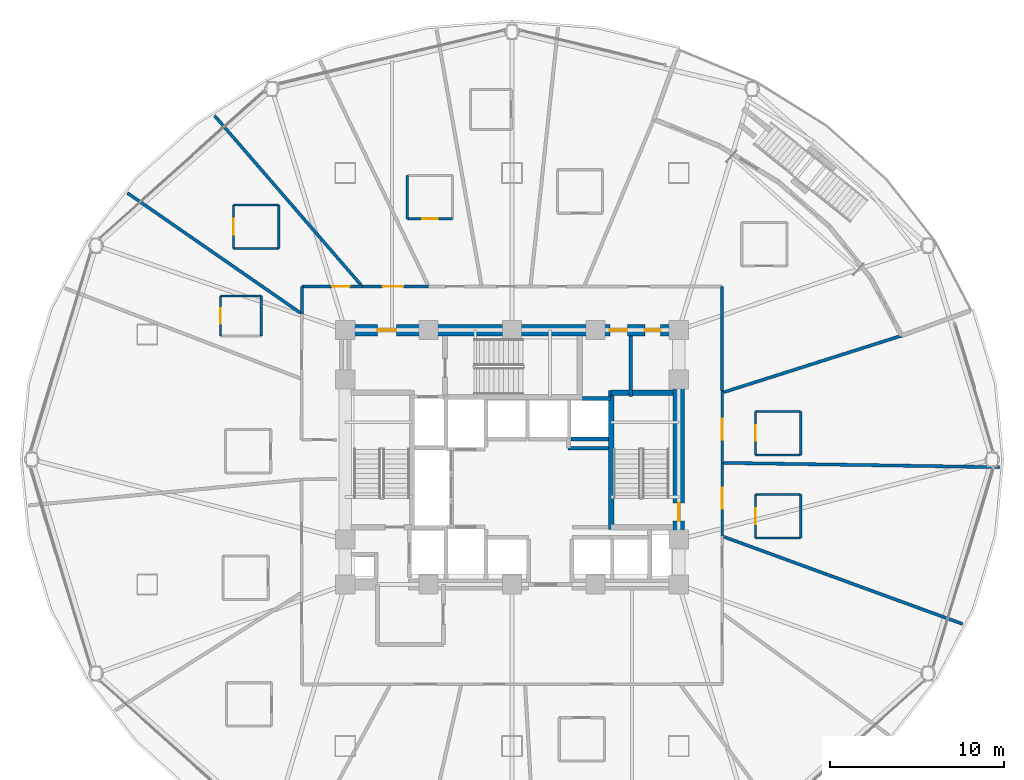
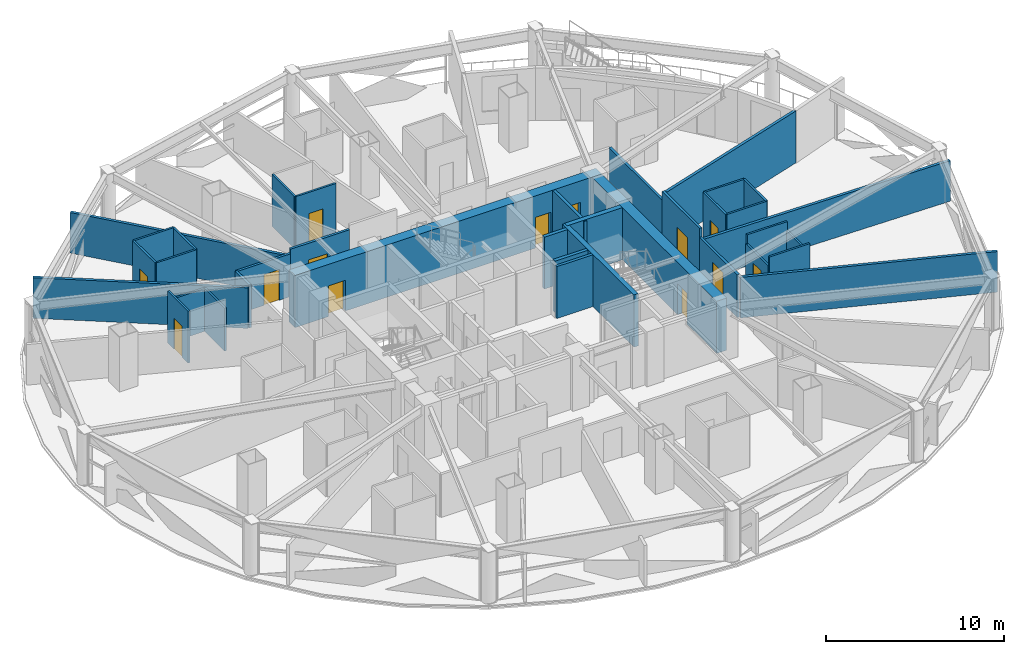
# One storey, part 26 of 33: 36 walls, 13 doors, 13 openings.
"""IFC4 building model written with IfcOpenShell, lengths in metres."""

from ifc_helpers import new_model, si_unit, direction, frame, frame_2d, origin, place, context, subcontext, project, spatial, rectangle, extrude, material, layer, layer_set, type_object, element, fill, save


model = new_model("IFC4")

# Units and contexts
model_context = context("Model", 3, precision=1e-05, world=origin(), true_north=direction((0.0, 1.0)))
body_context = subcontext(model_context, "Body", "Model", "MODEL_VIEW")
ifc_project = project(units=[si_unit("LENGTHUNIT", "METRE"), si_unit("AREAUNIT", "SQUARE_METRE"), si_unit("VOLUMEUNIT", "CUBIC_METRE"), si_unit("PLANEANGLEUNIT", "RADIAN"), si_unit("MASSUNIT", "GRAM", prefix="KILO")], contexts=[model_context])

# Site, building, storey
site_placement = place(None, origin())
site = spatial("IfcSite", under=ifc_project, at=site_placement, CompositionType="ELEMENT")
building_placement = place(site_placement, origin())
building = spatial("IfcBuilding", under=site, at=building_placement, Name="Vantalir Tower", CompositionType="ELEMENT")
storey_placement = place(building_placement, frame((0.0, 0.0, 68.25)))
storey = spatial("IfcBuildingStorey", under=building, at=storey_placement, Name="L16", CompositionType="ELEMENT", Elevation=68.25)

# Wall, opening, door
ifc_material_1 = material(Name="Moisture-resistant en-suite partition", Category="gypsum")
ifc_layer_1 = layer(ifc_material_1, 0.125)
ifc_layer_set_1 = layer_set([ifc_layer_1], Name="Moisture-resistant en-suite partition")
wall_type_1 = type_object("IfcWallType", Name="WL-BATH-125", PredefinedType="PARTITIONING", material=ifc_layer_set_1)
wall_1_placement = place(storey_placement, frame((25.472900390625, 38.85693359375, 0.0), z_axis=(0.0, 0.0, 1.0), x_axis=(1.0, 0.0, 0.0)))
wall_1 = element("IfcWall", 1, at=wall_1_placement, inside=storey, type_object=wall_type_1, Name="L16 En-suite 04 South Wall", PredefinedType="PARTITIONING", context=body_context, shape_type="SweptSolid", body=[
    extrude(rectangle(XDim=2.60009765625, YDim=0.125, at=frame_2d((1.300048828125, 0.0))), origin(), (0.0, 0.0, 1.0), 3.550048828125),
])
opening_1_placement = place(wall_1_placement, frame((0.85009765625, 0.0, 0.0)))
opening_1 = element("IfcOpeningElement", 2, at=opening_1_placement, cuts=wall_1, Name="Opening D-WC", PredefinedType="OPENING", context=body_context, shape_type="SweptSolid", body=[
    extrude(rectangle(XDim=0.89990234375, YDim=2.10009765625, at=frame_2d((0.449951171875, 1.050048828125))), frame((0.0, 0.072509765625, 0.0), z_axis=(0.0, -1.0, 0.0), x_axis=(1.0, 0.0, 0.0)), (0.0, 0.0, 1.0), 0.14501953125),
])
ifc_material_2 = material(Name="Moisture-resistant hardwood door", Category="wood")
door_type_1 = type_object("IfcDoorType", Name="DR-ENSUITE-900", OperationType="NOTDEFINED", PredefinedType="DOOR", material=ifc_material_2)
door_1_placement = place(opening_1_placement, origin())
door_1 = element("IfcDoor", 3, at=door_1_placement, inside=storey, type_object=door_type_1, Name="L16 En-suite 04 Door", OperationType="SINGLE_SWING_LEFT", OverallHeight=2.10009765625, OverallWidth=0.89990234375, PredefinedType="DOOR", context=body_context, shape_type="SweptSolid", body=[
    extrude(rectangle(XDim=0.89990234375, YDim=2.10009765625, at=frame_2d((0.449951171875, 1.050048828125))), frame((0.0, 0.02490234375, 0.0), z_axis=(0.0, -1.0, 0.0), x_axis=(1.0, 0.0, 0.0)), (0.0, 0.0, 1.0), 0.050048828125),
])
fill(opening_1, door_1)

# Walls
wall_2_placement = place(storey_placement, frame((25.472900390625, 38.85693359375, 0.0), z_axis=(0.0, 0.0, 1.0), x_axis=(0.0, 1.0, 0.0)))
element("IfcWall", 4, at=wall_2_placement, inside=storey, type_object=wall_type_1, Name="L16 En-suite 04 West Wall", PredefinedType="PARTITIONING", context=body_context, shape_type="SweptSolid", body=[
    extrude(rectangle(XDim=2.5, YDim=0.125, at=frame_2d((1.25, 0.0))), origin(), (0.0, 0.0, 1.0), 3.550048828125),
])
for number, where, z_axis, x_axis, name in (
    (5, (15.468994140625, 37.154052734375, 0.0), (0.0, 0.0, 1.0), (1.0, 0.0, 0.0), "L16 En-suite 06 South Wall"),
    (6, (15.468994140625, 39.654052734375, 0.0), (0.0, 0.0, 1.0), (1.0, 0.0, 0.0), "L16 En-suite 06 North Wall"),
):
    element("IfcWall", number, at=place(storey_placement, frame(where, z_axis=z_axis, x_axis=x_axis)), inside=storey, type_object=wall_type_1, Name=name, PredefinedType="PARTITIONING", context=body_context, shape_type="SweptSolid", body=[
        extrude(rectangle(XDim=2.60009765625, YDim=0.125, at=frame_2d((1.300048828125, 0.0))), origin(), (0.0, 0.0, 1.0), 3.550048828125),
    ])

# Wall, opening, door
wall_3_placement = place(storey_placement, frame((15.468994140625, 37.154052734375, 0.0), z_axis=(0.0, 0.0, 1.0), x_axis=(0.0, 1.0, 0.0)))
wall_3 = element("IfcWall", 7, at=wall_3_placement, inside=storey, type_object=wall_type_1, Name="L16 En-suite 06 West Wall", PredefinedType="PARTITIONING", context=body_context, shape_type="SweptSolid", body=[
    extrude(rectangle(XDim=2.5, YDim=0.125, at=frame_2d((1.25, 0.0))), origin(), (0.0, 0.0, 1.0), 3.550048828125),
])
opening_2_placement = place(wall_3_placement, frame((0.800048828125, 0.0, 0.0)))
opening_2 = element("IfcOpeningElement", 8, at=opening_2_placement, cuts=wall_3, Name="Opening D-WC", PredefinedType="OPENING", context=body_context, shape_type="SweptSolid", body=[
    extrude(rectangle(XDim=0.89990234375, YDim=2.10009765625, at=frame_2d((0.449951171875, 1.050048828125))), frame((0.0, 0.072509765625, 0.0), z_axis=(0.0, -1.0, 0.0), x_axis=(1.0, 0.0, 0.0)), (0.0, 0.0, 1.0), 0.14501953125),
])
door_2_placement = place(opening_2_placement, frame((0.89990234375, 0.0, 0.0), z_axis=(0.0, 0.0, 1.0), x_axis=(-1.0, 0.0, 0.0)))
door_2 = element("IfcDoor", 9, at=door_2_placement, inside=storey, type_object=door_type_1, Name="L16 En-suite 06 Door", OperationType="SINGLE_SWING_LEFT", OverallHeight=2.10009765625, OverallWidth=0.89990234375, PredefinedType="DOOR", context=body_context, shape_type="SweptSolid", body=[
    extrude(rectangle(XDim=0.89990234375, YDim=2.10009765625, at=frame_2d((0.449951171875, 1.050048828125))), frame((0.0, 0.02490234375, 0.0), z_axis=(0.0, -1.0, 0.0), x_axis=(1.0, 0.0, 0.0)), (0.0, 0.0, 1.0), 0.050048828125),
])
fill(opening_2, door_2)

# Walls
wall_4_placement = place(storey_placement, frame((18.069091796875, 37.154052734375, 0.0), z_axis=(0.0, 0.0, 1.0), x_axis=(0.0, 1.0, 0.0)))
element("IfcWall", 10, at=wall_4_placement, inside=storey, type_object=wall_type_1, Name="L16 En-suite 06 East Wall", PredefinedType="PARTITIONING", context=body_context, shape_type="SweptSolid", body=[
    extrude(rectangle(XDim=2.5, YDim=0.125, at=frame_2d((1.25, 0.0))), origin(), (0.0, 0.0, 1.0), 3.550048828125),
])
wall_5_placement = place(storey_placement, frame((14.718017578125, 34.409912109375, 0.0), z_axis=(0.0, 0.0, 1.0), x_axis=(1.0, 0.0, 0.0)))
element("IfcWall", 11, at=wall_5_placement, inside=storey, type_object=wall_type_1, Name="L16 En-suite 07 North Wall", PredefinedType="PARTITIONING", context=body_context, shape_type="SweptSolid", body=[
    extrude(rectangle(XDim=2.35009765625, YDim=0.125, at=frame_2d((1.175048828125, 0.0))), origin(), (0.0, 0.0, 1.0), 2.927978515625),
])

# Wall, opening, door
wall_6_placement = place(storey_placement, frame((14.718017578125, 32.110107421875, 0.0), z_axis=(0.0, 0.0, 1.0), x_axis=(0.0, 1.0, 0.0)))
wall_6 = element("IfcWall", 12, at=wall_6_placement, inside=storey, type_object=wall_type_1, Name="L16 En-suite 07 West Wall", PredefinedType="PARTITIONING", context=body_context, shape_type="SweptSolid", body=[
    extrude(rectangle(XDim=2.2998046875, YDim=0.125, at=frame_2d((1.14990234375, 0.0))), origin(), (0.0, 0.0, 1.0), 3.550048828125),
])
opening_3_placement = place(wall_6_placement, frame((0.699951171875, 0.0, 0.0)))
opening_3 = element("IfcOpeningElement", 13, at=opening_3_placement, cuts=wall_6, Name="Opening D-WC", PredefinedType="OPENING", context=body_context, shape_type="SweptSolid", body=[
    extrude(rectangle(XDim=0.89990234375, YDim=2.10009765625, at=frame_2d((0.449951171875, 1.050048828125))), frame((0.0, 0.072509765625, 0.0), z_axis=(0.0, -1.0, 0.0), x_axis=(1.0, 0.0, 0.0)), (0.0, 0.0, 1.0), 0.14501953125),
])
door_3_placement = place(opening_3_placement, frame((0.89990234375, 0.0, 0.0), z_axis=(0.0, 0.0, 1.0), x_axis=(-1.0, 0.0, 0.0)))
door_3 = element("IfcDoor", 14, at=door_3_placement, inside=storey, type_object=door_type_1, Name="L16 En-suite 07 Door", OperationType="SINGLE_SWING_RIGHT", OverallHeight=2.10009765625, OverallWidth=0.89990234375, PredefinedType="DOOR", context=body_context, shape_type="SweptSolid", body=[
    extrude(rectangle(XDim=0.89990234375, YDim=2.10009765625, at=frame_2d((0.449951171875, 1.050048828125))), frame((0.0, 0.02490234375, 0.0), z_axis=(0.0, -1.0, 0.0), x_axis=(1.0, 0.0, 0.0)), (0.0, 0.0, 1.0), 0.050048828125),
])
fill(opening_3, door_3)

# Walls
wall_7_placement = place(storey_placement, frame((17.068115234375, 32.110107421875, 0.0), z_axis=(0.0, 0.0, 1.0), x_axis=(0.0, 1.0, 0.0)))
element("IfcWall", 15, at=wall_7_placement, inside=storey, type_object=wall_type_1, Name="L16 En-suite 07 East Wall", PredefinedType="PARTITIONING", context=body_context, shape_type="SweptSolid", body=[
    extrude(rectangle(XDim=2.2998046875, YDim=0.125, at=frame_2d((1.14990234375, 0.0))), origin(), (0.0, 0.0, 1.0), 2.927978515625),
])
for number, where, z_axis, x_axis, name in (
    (16, (45.52197265625, 20.48291015625, 0.0), (0.0, 0.0, 1.0), (1.0, 0.0, 0.0), "L16 En-suite 16 South Wall"),
    (17, (45.52197265625, 22.98291015625, 0.0), (0.0, 0.0, 1.0), (1.0, 0.0, 0.0), "L16 En-suite 16 North Wall"),
):
    element("IfcWall", number, at=place(storey_placement, frame(where, z_axis=z_axis, x_axis=x_axis)), inside=storey, type_object=wall_type_1, Name=name, PredefinedType="PARTITIONING", context=body_context, shape_type="SweptSolid", body=[
        extrude(rectangle(XDim=2.60009765625, YDim=0.125, at=frame_2d((1.300048828125, 0.0))), origin(), (0.0, 0.0, 1.0), 3.550048828125),
    ])

# Wall, opening, door
wall_8_placement = place(storey_placement, frame((45.52197265625, 20.48291015625, 0.0), z_axis=(0.0, 0.0, 1.0), x_axis=(0.0, 1.0, 0.0)))
wall_8 = element("IfcWall", 18, at=wall_8_placement, inside=storey, type_object=wall_type_1, Name="L16 En-suite 16 West Wall", PredefinedType="PARTITIONING", context=body_context, shape_type="SweptSolid", body=[
    extrude(rectangle(XDim=2.5, YDim=0.125, at=frame_2d((1.25, 0.0))), origin(), (0.0, 0.0, 1.0), 2.927978515625),
])
opening_4_placement = place(wall_8_placement, frame((0.800048828125, 0.0, 0.0)))
opening_4 = element("IfcOpeningElement", 19, at=opening_4_placement, cuts=wall_8, Name="Opening D-WC", PredefinedType="OPENING", context=body_context, shape_type="SweptSolid", body=[
    extrude(rectangle(XDim=0.89990234375, YDim=2.10009765625, at=frame_2d((0.449951171875, 1.050048828125))), frame((0.0, 0.072509765625, 0.0), z_axis=(0.0, -1.0, 0.0), x_axis=(1.0, 0.0, 0.0)), (0.0, 0.0, 1.0), 0.14501953125),
])
door_4_placement = place(opening_4_placement, frame((0.89990234375, 0.0, 0.0), z_axis=(0.0, 0.0, 1.0), x_axis=(-1.0, 0.0, 0.0)))
door_4 = element("IfcDoor", 20, at=door_4_placement, inside=storey, type_object=door_type_1, Name="L16 En-suite 16 Door", OperationType="SINGLE_SWING_LEFT", OverallHeight=2.10009765625, OverallWidth=0.89990234375, PredefinedType="DOOR", context=body_context, shape_type="SweptSolid", body=[
    extrude(rectangle(XDim=0.89990234375, YDim=2.10009765625, at=frame_2d((0.449951171875, 1.050048828125))), frame((0.0, 0.02490234375, 0.0), z_axis=(0.0, -1.0, 0.0), x_axis=(1.0, 0.0, 0.0)), (0.0, 0.0, 1.0), 0.050048828125),
])
fill(opening_4, door_4)

# Walls
wall_9_placement = place(storey_placement, frame((48.1220703125, 20.48291015625, 0.0), z_axis=(0.0, 0.0, 1.0), x_axis=(0.0, 1.0, 0.0)))
element("IfcWall", 21, at=wall_9_placement, inside=storey, type_object=wall_type_1, Name="L16 En-suite 16 East Wall", PredefinedType="PARTITIONING", context=body_context, shape_type="SweptSolid", body=[
    extrude(rectangle(XDim=2.5, YDim=0.125, at=frame_2d((1.25, 0.0))), origin(), (0.0, 0.0, 1.0), 2.927978515625),
])
for number, where, z_axis, x_axis, name in (
    (22, (45.52197265625, 25.26708984375, 0.0), (0.0, 0.0, 1.0), (1.0, 0.0, 0.0), "L16 En-suite 17 South Wall"),
    (23, (45.52197265625, 27.76708984375, 0.0), (0.0, 0.0, 1.0), (1.0, 0.0, 0.0), "L16 En-suite 17 North Wall"),
):
    element("IfcWall", number, at=place(storey_placement, frame(where, z_axis=z_axis, x_axis=x_axis)), inside=storey, type_object=wall_type_1, Name=name, PredefinedType="PARTITIONING", context=body_context, shape_type="SweptSolid", body=[
        extrude(rectangle(XDim=2.60009765625, YDim=0.125, at=frame_2d((1.300048828125, 0.0))), origin(), (0.0, 0.0, 1.0), 3.550048828125),
    ])

# Wall, opening, door
wall_10_placement = place(storey_placement, frame((45.52197265625, 25.26708984375, 0.0), z_axis=(0.0, 0.0, 1.0), x_axis=(0.0, 1.0, 0.0)))
wall_10 = element("IfcWall", 24, at=wall_10_placement, inside=storey, type_object=wall_type_1, Name="L16 En-suite 17 West Wall", PredefinedType="PARTITIONING", context=body_context, shape_type="SweptSolid", body=[
    extrude(rectangle(XDim=2.5, YDim=0.125, at=frame_2d((1.25, 0.0))), origin(), (0.0, 0.0, 1.0), 3.550048828125),
])
opening_5_placement = place(wall_10_placement, frame((0.800048828125, 0.0, 0.0)))
opening_5 = element("IfcOpeningElement", 25, at=opening_5_placement, cuts=wall_10, Name="Opening D-WC", PredefinedType="OPENING", context=body_context, shape_type="SweptSolid", body=[
    extrude(rectangle(XDim=0.89990234375, YDim=2.10009765625, at=frame_2d((0.449951171875, 1.050048828125))), frame((0.0, 0.072509765625, 0.0), z_axis=(0.0, -1.0, 0.0), x_axis=(1.0, 0.0, 0.0)), (0.0, 0.0, 1.0), 0.14501953125),
])
door_5_placement = place(opening_5_placement, frame((0.89990234375, 0.0, 0.0), z_axis=(0.0, 0.0, 1.0), x_axis=(-1.0, 0.0, 0.0)))
door_5 = element("IfcDoor", 26, at=door_5_placement, inside=storey, type_object=door_type_1, Name="L16 En-suite 17 Door", OperationType="SINGLE_SWING_RIGHT", OverallHeight=2.10009765625, OverallWidth=0.89990234375, PredefinedType="DOOR", context=body_context, shape_type="SweptSolid", body=[
    extrude(rectangle(XDim=0.89990234375, YDim=2.10009765625, at=frame_2d((0.449951171875, 1.050048828125))), frame((0.0, 0.02490234375, 0.0), z_axis=(0.0, -1.0, 0.0), x_axis=(1.0, 0.0, 0.0)), (0.0, 0.0, 1.0), 0.050048828125),
])
fill(opening_5, door_5)

# Wall
wall_11_placement = place(storey_placement, frame((48.1220703125, 25.26708984375, 0.0), z_axis=(0.0, 0.0, 1.0), x_axis=(0.0, 1.0, 0.0)))
element("IfcWall", 27, at=wall_11_placement, inside=storey, type_object=wall_type_1, Name="L16 En-suite 17 East Wall", PredefinedType="PARTITIONING", context=body_context, shape_type="SweptSolid", body=[
    extrude(rectangle(XDim=2.5, YDim=0.125, at=frame_2d((1.25, 0.0))), origin(), (0.0, 0.0, 1.0), 3.550048828125),
])

# Wall, openings, doors
ifc_material_3 = material(Name="Concrete C60/75", Category="concrete")
ifc_layer_2 = layer(ifc_material_3, 0.64990234375)
ifc_layer_set_2 = layer_set([ifc_layer_2], Name="Concrete C60/75")
wall_type_2 = type_object("IfcWallType", Name="WL-CORE-650", PredefinedType="SHEAR", material=ifc_layer_set_2)
wall_12_placement = place(storey_placement, frame((21.574951171875, 32.449951171875, 0.0), z_axis=(0.0, 0.0, 1.0), x_axis=(1.0, 0.0, 0.0)))
wall_12 = element("IfcWall", 28, at=wall_12_placement, inside=storey, type_object=wall_type_2, Name="L16 Core Shear Wall North", PredefinedType="SHEAR", context=body_context, shape_type="SweptSolid", body=[
    extrude(rectangle(XDim=19.85009765625, YDim=0.64990234375, at=frame_2d((9.925048828125, 0.0))), origin(), (0.0, 0.0, 1.0), 3.570068359375),
])
opening_6_placement = place(wall_12_placement, frame((2.175048828125, 0.0, 0.0)))
opening_6 = element("IfcOpeningElement", 29, at=opening_6_placement, cuts=wall_12, Name="Opening D-FFL", PredefinedType="OPENING", context=body_context, shape_type="SweptSolid", body=[
    extrude(rectangle(XDim=1.10009765625, YDim=2.10009765625, at=frame_2d((0.550048828125, 1.050048828125))), frame((0.0, 0.3349609375, 0.0), z_axis=(0.0, -1.0, 0.0), x_axis=(1.0, 0.0, 0.0)), (0.0, 0.0, 1.0), 0.669921875),
])
opening_7_placement = place(wall_12_placement, frame((15.56494140625, 0.0, 0.0)))
opening_7 = element("IfcOpeningElement", 30, at=opening_7_placement, cuts=wall_12, Name="Opening D-GUEST", PredefinedType="OPENING", context=body_context, shape_type="SweptSolid", body=[
    extrude(rectangle(XDim=1.0, YDim=2.10009765625, at=frame_2d((0.5, 1.050048828125))), frame((0.0, 0.3349609375, 0.0), z_axis=(0.0, -1.0, 0.0), x_axis=(1.0, 0.0, 0.0)), (0.0, 0.0, 1.0), 0.669921875),
])
opening_8_placement = place(wall_12_placement, frame((17.574951171875, 0.0, 0.0)))
opening_8 = element("IfcOpeningElement", 31, at=opening_8_placement, cuts=wall_12, Name="Opening D-CR", PredefinedType="OPENING", context=body_context, shape_type="SweptSolid", body=[
    extrude(rectangle(XDim=0.89990234375, YDim=2.10009765625, at=frame_2d((0.449951171875, 1.050048828125))), frame((0.0, 0.3349609375, 0.0), z_axis=(0.0, -1.0, 0.0), x_axis=(1.0, 0.0, 0.0)), (0.0, 0.0, 1.0), 0.669921875),
])
ifc_material_4 = material(Name="Fire-rated steel core service door", Category="steel")
door_type_2 = type_object("IfcDoorType", Name="DR-CORE-SERV-900", OperationType="NOTDEFINED", PredefinedType="DOOR", material=ifc_material_4)
door_6_placement = place(opening_8_placement, frame((0.89990234375, 0.0, 0.0), z_axis=(0.0, 0.0, 1.0), x_axis=(-1.0, 0.0, 0.0)))
door_6 = element("IfcDoor", 32, at=door_6_placement, inside=storey, type_object=door_type_2, Name="L16 Housekeeping and Linen Room Door", OperationType="SINGLE_SWING_RIGHT", OverallHeight=2.10009765625, OverallWidth=0.89990234375, PredefinedType="DOOR", context=body_context, shape_type="SweptSolid", body=[
    extrude(rectangle(XDim=0.89990234375, YDim=2.10009765625, at=frame_2d((0.449951171875, 1.050048828125))), frame((0.0, 0.02490234375, 0.0), z_axis=(0.0, -1.0, 0.0), x_axis=(1.0, 0.0, 0.0)), (0.0, 0.0, 1.0), 0.050048828125),
])
fill(opening_8, door_6)
ifc_material_5 = material(Name="Fire-rated acoustic steel door", Category="steel")
door_type_3 = type_object("IfcDoorType", Name="DR-FIRE-LOBBY-1100", OperationType="NOTDEFINED", PredefinedType="DOOR", material=ifc_material_5)
door_7_placement = place(opening_6_placement, frame((1.10009765625, 0.0, 0.0), z_axis=(0.0, 0.0, 1.0), x_axis=(-1.0, 0.0, 0.0)))
door_7 = element("IfcDoor", 33, at=door_7_placement, inside=storey, type_object=door_type_3, Name="L16 Firefighting Lobby East Access Door", OperationType="SINGLE_SWING_RIGHT", OverallHeight=2.10009765625, OverallWidth=1.10009765625, PredefinedType="DOOR", context=body_context, shape_type="SweptSolid", body=[
    extrude(rectangle(XDim=1.10009765625, YDim=2.10009765625, at=frame_2d((0.550048828125, 1.050048828125))), frame((0.0, 0.02490234375, 0.0), z_axis=(0.0, -1.0, 0.0), x_axis=(1.0, 0.0, 0.0)), (0.0, 0.0, 1.0), 0.050048828125),
])
fill(opening_6, door_7)
ifc_material_6 = material(Name="Solid-core teak veneer acoustic fire door", Category="wood")
door_type_4 = type_object("IfcDoorType", Name="DR-GUEST-ENTRY-1000", OperationType="NOTDEFINED", PredefinedType="DOOR", material=ifc_material_6)
door_8_placement = place(opening_7_placement, frame((1.0, 0.0, 0.0), z_axis=(0.0, 0.0, 1.0), x_axis=(-1.0, 0.0, 0.0)))
door_8 = element("IfcDoor", 34, at=door_8_placement, inside=storey, type_object=door_type_4, Name="L16 High-Rise Lift Lobby Door", OperationType="SINGLE_SWING_LEFT", OverallHeight=2.10009765625, OverallWidth=1.0, PredefinedType="DOOR", context=body_context, shape_type="SweptSolid", body=[
    extrude(rectangle(XDim=1.0, YDim=2.10009765625, at=frame_2d((0.5, 1.050048828125))), frame((0.0, 0.02490234375, 0.0), z_axis=(0.0, -1.0, 0.0), x_axis=(1.0, 0.0, 0.0)), (0.0, 0.0, 1.0), 0.050048828125),
])
fill(opening_7, door_8)

# Wall, opening, door
wall_13_placement = place(storey_placement, frame((41.10009765625, 18.125, 0.0), z_axis=(0.0, 0.0, 1.0), x_axis=(0.0, 1.0, 0.0)))
wall_13 = element("IfcWall", 35, at=wall_13_placement, inside=storey, type_object=wall_type_2, Name="L16 Core Shear Wall East", PredefinedType="SHEAR", context=body_context, shape_type="SweptSolid", body=[
    extrude(rectangle(XDim=14.0, YDim=0.64990234375, at=frame_2d((7.0, 0.0))), origin(), (0.0, 0.0, 1.0), 3.570068359375),
])
opening_9_placement = place(wall_13_placement, frame((3.3349609375, 0.0, 0.0)))
opening_9 = element("IfcOpeningElement", 36, at=opening_9_placement, cuts=wall_13, Name="Opening D-ST", PredefinedType="OPENING", context=body_context, shape_type="SweptSolid", body=[
    extrude(rectangle(XDim=1.050048828125, YDim=2.10009765625, at=frame_2d((0.52490234375, 1.050048828125))), frame((0.0, 0.3349609375, 0.0), z_axis=(0.0, -1.0, 0.0), x_axis=(1.0, 0.0, 0.0)), (0.0, 0.0, 1.0), 0.669921875),
])
ifc_material_7 = material(Name="Fire-rated steel door leaf", Category="steel")
door_type_5 = type_object("IfcDoorType", Name="DR-FIRE-STAIR-1050", OperationType="NOTDEFINED", PredefinedType="DOOR", material=ifc_material_7)
door_9_placement = place(opening_9_placement, origin())
door_9 = element("IfcDoor", 37, at=door_9_placement, inside=storey, type_object=door_type_5, Name="L16 Exit Stair ST2 Fire Door", OperationType="SINGLE_SWING_LEFT", OverallHeight=2.10009765625, OverallWidth=1.050048828125, PredefinedType="DOOR", context=body_context, shape_type="SweptSolid", body=[
    extrude(rectangle(XDim=1.050048828125, YDim=2.10009765625, at=frame_2d((0.52490234375, 1.050048828125))), frame((0.0, 0.02490234375, 0.0), z_axis=(0.0, -1.0, 0.0), x_axis=(1.0, 0.0, 0.0)), (0.0, 0.0, 1.0), 0.050048828125),
])
fill(opening_9, door_9)

# Wall
ifc_material_8 = material(Name="Fire-rated hotel corridor acoustic partition", Category="gypsum")
ifc_layer_3 = layer(ifc_material_8, 0.159912109375)
ifc_layer_set_3 = layer_set([ifc_layer_3], Name="Fire-rated hotel corridor acoustic partition")
wall_type_3 = type_object("IfcWallType", Name="WL-CORR-160", PredefinedType="PARTITIONING", material=ifc_layer_set_3)
wall_14_placement = place(storey_placement, frame((19.403076171875, 33.384033203125, 0.0), z_axis=(0.0, 0.0, 1.0), x_axis=(0.0018590208, 0.999998272019, 0.0)))
element("IfcWall", 38, at=wall_14_placement, inside=storey, type_object=wall_type_3, Name="L16 Corridor Partition 04", PredefinedType="PARTITIONING", context=body_context, shape_type="SweptSolid", body=[
    extrude(rectangle(XDim=1.575927734375, YDim=0.159912109375, at=frame_2d((0.7880859375, 0.0))), origin(), (0.0, 0.0, 1.0), 2.927978515625),
])

# Wall, opening, door
wall_15_placement = place(storey_placement, frame((19.406005859375, 34.9599609375, 0.0), z_axis=(0.0, 0.0, 1.0), x_axis=(1.0, 0.0, 0.0)))
wall_15 = element("IfcWall", 39, at=wall_15_placement, inside=storey, type_object=wall_type_3, Name="L16 Corridor Partition 05", PredefinedType="PARTITIONING", context=body_context, shape_type="SweptSolid", body=[
    extrude(rectangle(XDim=3.47802734375, YDim=0.159912109375, at=frame_2d((1.739013671875, 0.0))), origin(), (0.0, 0.0, 1.0), 2.927978515625),
])
opening_10_placement = place(wall_15_placement, frame((1.742919921875, 0.0, 0.0)))
opening_10 = element("IfcOpeningElement", 40, at=opening_10_placement, cuts=wall_15, Name="Opening D-GUEST", PredefinedType="OPENING", context=body_context, shape_type="SweptSolid", body=[
    extrude(rectangle(XDim=1.0, YDim=2.10009765625, at=frame_2d((0.5, 1.050048828125))), frame((0.0, 0.08984375, 0.0), z_axis=(0.0, -1.0, 0.0), x_axis=(1.0, 0.0, 0.0)), (0.0, 0.0, 1.0), 0.179931640625),
])
door_10_placement = place(opening_10_placement, origin())
door_10 = element("IfcDoor", 41, at=door_10_placement, inside=storey, type_object=door_type_4, Name="L16 Twin Queen Hotel Room 06 Door", OperationType="SINGLE_SWING_LEFT", OverallHeight=2.10009765625, OverallWidth=1.0, PredefinedType="DOOR", context=body_context, shape_type="SweptSolid", body=[
    extrude(rectangle(XDim=1.0, YDim=2.10009765625, at=frame_2d((0.5, 1.050048828125))), frame((0.0, 0.02490234375, 0.0), z_axis=(0.0, -1.0, 0.0), x_axis=(1.0, 0.0, 0.0)), (0.0, 0.0, 1.0), 0.050048828125),
])
fill(opening_10, door_10)

wall_16_placement = place(storey_placement, frame((22.884033203125, 34.9599609375, 0.0), z_axis=(0.0, 0.0, 1.0), x_axis=(1.0, 0.0, 0.0)))
wall_16 = element("IfcWall", 42, at=wall_16_placement, inside=storey, type_object=wall_type_3, Name="L16 Corridor Partition 06", PredefinedType="PARTITIONING", context=body_context, shape_type="SweptSolid", body=[
    extrude(rectangle(XDim=3.821044921875, YDim=0.159912109375, at=frame_2d((1.91064453125, 0.0))), origin(), (0.0, 0.0, 1.0), 3.238037109375),
])
opening_11_placement = place(wall_16_placement, frame((1.1669921875, 0.0, 0.0)))
opening_11 = element("IfcOpeningElement", 43, at=opening_11_placement, cuts=wall_16, Name="Opening D-STE", PredefinedType="OPENING", context=body_context, shape_type="SweptSolid", body=[
    extrude(rectangle(XDim=1.199951171875, YDim=2.10009765625, at=frame_2d((0.60009765625, 1.050048828125))), frame((0.0, 0.08984375, 0.0), z_axis=(0.0, -1.0, 0.0), x_axis=(1.0, 0.0, 0.0)), (0.0, 0.0, 1.0), 0.179931640625),
])
ifc_material_9 = material(Name="Solid-core teak veneer suite entrance door", Category="wood")
door_type_6 = type_object("IfcDoorType", Name="DR-SUITE-ENTRY-1200", OperationType="NOTDEFINED", PredefinedType="DOOR", material=ifc_material_9)
door_11_placement = place(opening_11_placement, origin())
door_11 = element("IfcDoor", 44, at=door_11_placement, inside=storey, type_object=door_type_6, Name="L16 Club Reading Lounge 05 Door", OperationType="SINGLE_SWING_RIGHT", OverallHeight=2.10009765625, OverallWidth=1.199951171875, PredefinedType="DOOR", context=body_context, shape_type="SweptSolid", body=[
    extrude(rectangle(XDim=1.199951171875, YDim=2.10009765625, at=frame_2d((0.60009765625, 1.050048828125))), frame((0.0, 0.02490234375, 0.0), z_axis=(0.0, -1.0, 0.0), x_axis=(1.0, 0.0, 0.0)), (0.0, 0.0, 1.0), 0.050048828125),
])
fill(opening_11, door_11)

# Wall
wall_17_placement = place(storey_placement, frame((43.593994140625, 34.9599609375, 0.0), z_axis=(0.0, 0.0, 1.0), x_axis=(0.000652901191, -0.99999978686, 0.0)))
element("IfcWall", 45, at=wall_17_placement, inside=storey, type_object=wall_type_3, Name="L16 Corridor Partition 11", PredefinedType="PARTITIONING", context=body_context, shape_type="SweptSolid", body=[
    extrude(rectangle(XDim=5.98291015625, YDim=0.159912109375, at=frame_2d((2.991455078125, 0.0))), origin(), (0.0, 0.0, 1.0), 2.927978515625),
])

# Wall, opening, door
wall_18_placement = place(storey_placement, frame((43.597900390625, 28.97705078125, 0.0), z_axis=(0.0, 0.0, 1.0), x_axis=(0.000761480566, -0.999999710074, 0.0)))
wall_18 = element("IfcWall", 46, at=wall_18_placement, inside=storey, type_object=wall_type_3, Name="L16 Corridor Partition 12", PredefinedType="PARTITIONING", context=body_context, shape_type="SweptSolid", body=[
    extrude(rectangle(XDim=4.16796875, YDim=0.159912109375, at=frame_2d((2.083984375, 0.0))), origin(), (0.0, 0.0, 1.0), 3.550048828125),
])
opening_12_placement = place(wall_18_placement, frame((1.631103515625, 0.0, 0.0)))
opening_12 = element("IfcOpeningElement", 47, at=opening_12_placement, cuts=wall_18, Name="Opening D-STE", PredefinedType="OPENING", context=body_context, shape_type="SweptSolid", body=[
    extrude(rectangle(XDim=1.199951171875, YDim=2.10009765625, at=frame_2d((0.60009765625, 1.050048828125))), frame((0.0, 0.08984375, 0.0), z_axis=(0.0, -1.0, 0.0), x_axis=(1.0, 0.0, 0.0)), (0.0, 0.0, 1.0), 0.179931640625),
])
door_12_placement = place(opening_12_placement, origin())
door_12 = element("IfcDoor", 48, at=door_12_placement, inside=storey, type_object=door_type_6, Name="L16 Corner Panorama Hotel Suite 17 Door", OperationType="SINGLE_SWING_RIGHT", OverallHeight=2.10009765625, OverallWidth=1.199951171875, PredefinedType="DOOR", context=body_context, shape_type="SweptSolid", body=[
    extrude(rectangle(XDim=1.199951171875, YDim=2.10009765625, at=frame_2d((0.60009765625, 1.050048828125))), frame((0.0, 0.02490234375, 0.0), z_axis=(0.0, -1.0, 0.0), x_axis=(1.0, 0.0, 0.0)), (0.0, 0.0, 1.0), 0.050048828125),
])
fill(opening_12, door_12)

wall_19_placement = place(storey_placement, frame((43.60107421875, 24.80908203125, 0.0), z_axis=(0.0, 0.0, 1.0), x_axis=(0.000693240735, -0.999999759709, 0.0)))
wall_19 = element("IfcWall", 49, at=wall_19_placement, inside=storey, type_object=wall_type_3, Name="L16 Corridor Partition 13", PredefinedType="PARTITIONING", context=body_context, shape_type="SweptSolid", body=[
    extrude(rectangle(XDim=4.22607421875, YDim=0.159912109375, at=frame_2d((2.113037109375, 0.0))), origin(), (0.0, 0.0, 1.0), 2.927978515625),
])
opening_13_placement = place(wall_19_placement, frame((1.44189453125, 0.0, 0.0)))
opening_13 = element("IfcOpeningElement", 50, at=opening_13_placement, cuts=wall_19, Name="Opening D-STE", PredefinedType="OPENING", context=body_context, shape_type="SweptSolid", body=[
    extrude(rectangle(XDim=1.199951171875, YDim=2.10009765625, at=frame_2d((0.60009765625, 1.050048828125))), frame((0.0, 0.08984375, 0.0), z_axis=(0.0, -1.0, 0.0), x_axis=(1.0, 0.0, 0.0)), (0.0, 0.0, 1.0), 0.179931640625),
])
door_13_placement = place(opening_13_placement, origin())
door_13 = element("IfcDoor", 51, at=door_13_placement, inside=storey, type_object=door_type_6, Name="L16 Corner Panorama Hotel Suite 16 Door", OperationType="SINGLE_SWING_LEFT", OverallHeight=2.10009765625, OverallWidth=1.199951171875, PredefinedType="DOOR", context=body_context, shape_type="SweptSolid", body=[
    extrude(rectangle(XDim=1.199951171875, YDim=2.10009765625, at=frame_2d((0.60009765625, 1.050048828125))), frame((0.0, 0.02490234375, 0.0), z_axis=(0.0, -1.0, 0.0), x_axis=(1.0, 0.0, 0.0)), (0.0, 0.0, 1.0), 0.050048828125),
])
fill(opening_13, door_13)

# Walls
ifc_material_10 = material(Name="Concrete blockwork with fireboard lining", Category="masonry")
ifc_layer_4 = layer(ifc_material_10, 0.219970703125)
ifc_layer_set_4 = layer_set([ifc_layer_4], Name="Concrete blockwork with fireboard lining")
wall_type_4 = type_object("IfcWallType", Name="WL-FFL-220", PredefinedType="PARTITIONING", material=ifc_layer_set_4)
wall_20_placement = place(storey_placement, frame((34.909912109375, 26.18994140625, 0.0), z_axis=(0.0, 0.0, 1.0), x_axis=(1.0, 0.0, 0.0)))
element("IfcWall", 52, at=wall_20_placement, inside=storey, type_object=wall_type_4, Name="L16 High-Rise Lift PL-H3 Rear Shaft Wall", PredefinedType="PARTITIONING", context=body_context, shape_type="SweptSolid", body=[
    extrude(rectangle(XDim=2.14013671875, YDim=0.219970703125, at=frame_2d((1.070068359375, 0.0))), origin(), (0.0, 0.0, 1.0), 3.544921875),
])
wall_21_placement = place(storey_placement, frame((35.56005859375, 28.510009765625, 0.0), z_axis=(0.0, 0.0, 1.0), x_axis=(1.0, 0.0, 0.0)))
element("IfcWall", 53, at=wall_21_placement, inside=storey, type_object=wall_type_4, Name="L16 Lift PL-H3 Shaft Front Wall", PredefinedType="PARTITIONING", context=body_context, shape_type="SweptSolid", body=[
    extrude(rectangle(XDim=1.599853515625, YDim=0.219970703125, at=frame_2d((0.7998046875, 0.0))), origin(), (0.0, 0.0, 1.0), 3.550048828125),
])
ifc_material_11 = material(Name="Twin-stud acoustic fire-rated gypsum partition", Category="gypsum")
ifc_layer_5 = layer(ifc_material_11, 0.179931640625)
ifc_layer_set_5 = layer_set([ifc_layer_5], Name="Twin-stud acoustic fire-rated gypsum partition")
wall_type_5 = type_object("IfcWallType", Name="WL-GUEST-180", PredefinedType="PARTITIONING", material=ifc_layer_set_5)
wall_22_placement = place(storey_placement, frame((34.719970703125, 25.64990234375, 0.0), z_axis=(0.0, 0.0, 1.0), x_axis=(1.0, 0.0, 0.0)))
element("IfcWall", 54, at=wall_22_placement, inside=storey, type_object=wall_type_5, Name="L16 Freed East Core North Wall", PredefinedType="PARTITIONING", context=body_context, shape_type="SweptSolid", body=[
    extrude(rectangle(XDim=2.340087890625, YDim=0.179931640625, at=frame_2d((1.169921875, 0.0))), origin(), (0.0, 0.0, 1.0), 3.550048828125),
])
wall_23_placement = place(storey_placement, frame((38.340087890625, 28.6201171875, 0.0), z_axis=(0.0, 0.0, 1.0), x_axis=(0.0, 1.0, 0.0)))
element("IfcWall", 55, at=wall_23_placement, inside=storey, type_object=wall_type_5, Name="L16 High-Rise Lift Lobby East Wall", PredefinedType="PARTITIONING", context=body_context, shape_type="SweptSolid", body=[
    extrude(rectangle(XDim=3.5048828125, YDim=0.179931640625, at=frame_2d((1.75244140625, 0.0))), origin(), (0.0, 0.0, 1.0), 3.550048828125),
])
wall_24_placement = place(storey_placement, frame((43.68994140625, 28.875, 0.0), z_axis=(0.0, 0.0, 1.0), x_axis=(0.953015936848, 0.302920161285, 0.0)))
element("IfcWall", 56, at=wall_24_placement, inside=storey, type_object=wall_type_5, Name="L16 Radial Suite Partition 01", PredefinedType="PARTITIONING", context=body_context, shape_type="SweptSolid", body=[
    extrude(rectangle(XDim=10.7353515625, YDim=0.179931640625, at=frame_2d((5.36767578125, 0.0))), origin(), (0.0, 0.0, 1.0), 3.550048828125),
])
wall_25_placement = place(storey_placement, frame((22.81494140625, 35.0400390625, 0.0), z_axis=(0.0, 0.0, 1.0), x_axis=(-0.65426019716, 0.756269524979, 0.0)))
element("IfcWall", 57, at=wall_25_placement, inside=storey, type_object=wall_type_5, Name="L16 Radial Suite Partition 06", PredefinedType="PARTITIONING", context=body_context, shape_type="SweptSolid", body=[
    extrude(rectangle(XDim=12.89990234375, YDim=0.179931640625, at=frame_2d((6.449951171875, 0.0))), origin(), (0.0, 0.0, 1.0), 2.77490234375),
])
wall_26_placement = place(storey_placement, frame((19.31005859375, 33.447998046875, 0.0), z_axis=(0.0, 0.0, 1.0), x_axis=(-0.821934288288, 0.569582325688, 0.0)))
element("IfcWall", 58, at=wall_26_placement, inside=storey, type_object=wall_type_5, Name="L16 Radial Suite Partition 07", PredefinedType="PARTITIONING", context=body_context, shape_type="SweptSolid", body=[
    extrude(rectangle(XDim=12.10205078125, YDim=0.179931640625, at=frame_2d((6.051025390625, 0.0))), origin(), (0.0, 0.0, 1.0), 2.77490234375),
])
wall_27_placement = place(storey_placement, frame((43.68994140625, 20.552001953125, 0.0), z_axis=(0.0, 0.0, 1.0), x_axis=(0.939396376232, -0.34283297438, 0.0)))
element("IfcWall", 59, at=wall_27_placement, inside=storey, type_object=wall_type_5, Name="L16 Radial Suite Partition 16", PredefinedType="PARTITIONING", context=body_context, shape_type="SweptSolid", body=[
    extrude(rectangle(XDim=14.636962890625, YDim=0.179931640625, at=frame_2d((7.318359375, 0.0))), origin(), (0.0, 0.0, 1.0), 2.77490234375),
])
wall_28_placement = place(storey_placement, frame((43.68994140625, 24.80810546875, 0.0), z_axis=(0.0, 0.0, 1.0), x_axis=(0.999875881626, -0.01575504182, 0.0)))
element("IfcWall", 60, at=wall_28_placement, inside=storey, type_object=wall_type_5, Name="L16 Radial Suite Partition 17", PredefinedType="PARTITIONING", context=body_context, shape_type="SweptSolid", body=[
    extrude(rectangle(XDim=15.867919921875, YDim=0.179931640625, at=frame_2d((7.93408203125, 0.0))), origin(), (0.0, 0.0, 1.0), 2.77490234375),
])
ifc_material_12 = material(Name="Concrete C50/60", Category="concrete")
ifc_layer_6 = layer(ifc_material_12, 0.300048828125)
ifc_layer_set_6 = layer_set([ifc_layer_6], Name="Concrete C50/60")
wall_type_6 = type_object("IfcWallType", Name="WL-STAIR-300", PredefinedType="SHEAR", material=ifc_layer_set_6)
wall_29_placement = place(storey_placement, frame((37.2099609375, 28.85009765625, 0.0), z_axis=(0.0, 0.0, 1.0), x_axis=(1.0, 0.0, 0.0)))
element("IfcWall", 61, at=wall_29_placement, inside=storey, type_object=wall_type_6, Name="L16 Stair ST2 North Wall", PredefinedType="SHEAR", context=body_context, shape_type="SweptSolid", body=[
    extrude(rectangle(XDim=3.56494140625, YDim=0.300048828125, at=frame_2d((1.782470703125, 0.0))), origin(), (0.0, 0.0, 1.0), 3.570068359375),
])
wall_30_placement = place(storey_placement, frame((37.2099609375, 20.97998046875, 0.0), z_axis=(0.0, 0.0, 1.0), x_axis=(0.0, 1.0, 0.0)))
element("IfcWall", 62, at=wall_30_placement, inside=storey, type_object=wall_type_6, Name="L16 Stair ST2 West Wall", PredefinedType="SHEAR", context=body_context, shape_type="SweptSolid", body=[
    extrude(rectangle(XDim=7.989990234375, YDim=0.300048828125, at=frame_2d((3.9951171875, 0.0))), origin(), (0.0, 0.0, 1.0), 3.570068359375),
])

save(model, "model.ifc")
